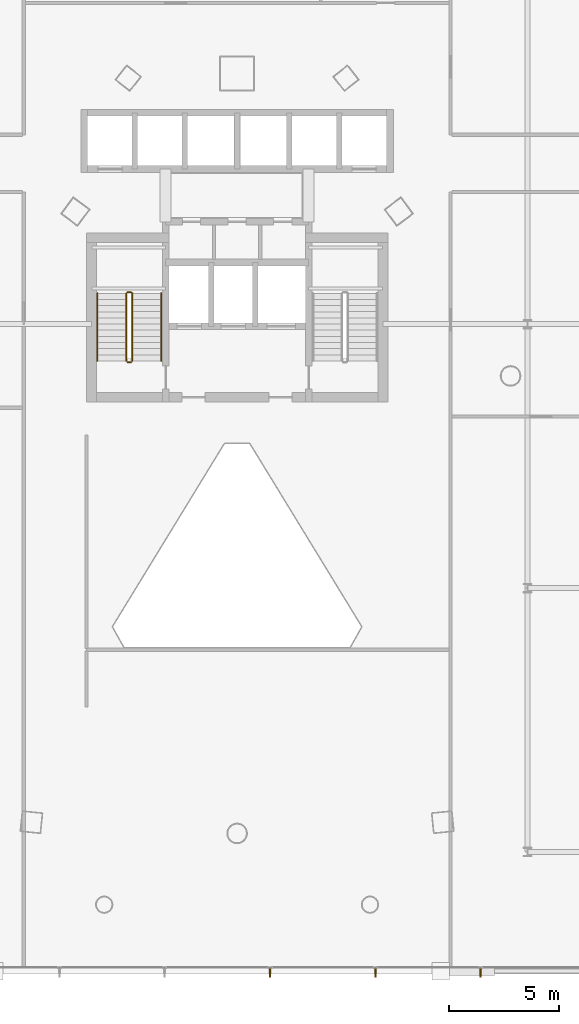
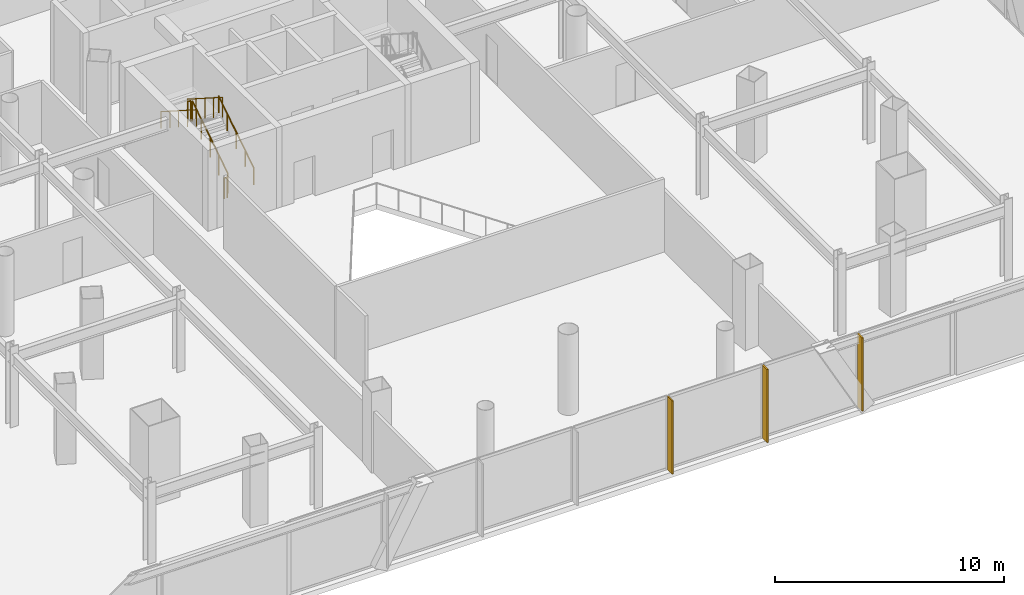
# One storey, part 41 of 46: 6 railings, 3 shading devices.
"""IFC4 building model written with IfcOpenShell, lengths in metres."""

from ifc_helpers import new_model, si_unit, direction, frame, origin, origin_2d, place, context, subcontext, project, spatial, rectangle, circle, extrude, material, layer, layer_set, type_object, element, save


model = new_model("IFC4")

# Units and contexts
model_context = context("Model", 3, precision=1e-05, world=origin(), true_north=direction((0.0, 1.0)))
body_context = subcontext(model_context, "Body", "Model", "MODEL_VIEW")
ifc_project = project(units=[si_unit("LENGTHUNIT", "METRE"), si_unit("AREAUNIT", "SQUARE_METRE"), si_unit("VOLUMEUNIT", "CUBIC_METRE"), si_unit("PLANEANGLEUNIT", "RADIAN"), si_unit("MASSUNIT", "GRAM", prefix="KILO")], contexts=[model_context])

# Site, building, storey
site_placement = place(None, origin())
site = spatial("IfcSite", under=ifc_project, at=site_placement, CompositionType="ELEMENT")
building_placement = place(site_placement, origin())
building = spatial("IfcBuilding", under=site, at=building_placement, Name="Orvanel Arch Residences", CompositionType="ELEMENT")
storey_placement = place(building_placement, frame((0.0, 0.0, 14.10009765625)))
storey = spatial("IfcBuildingStorey", under=building, at=storey_placement, Name="L03", CompositionType="ELEMENT", Elevation=14.10009765625)

# Shading devices
ifc_material_1 = material(Name="Bronze-anodised aluminium AA6063-T6", Category="aluminium")
ifc_layer = layer(ifc_material_1, 0.06494140625)
ifc_layer_set = layer_set([ifc_layer], Name="Bronze-anodised aluminium AA6063-T6")
shading_device_type = type_object("IfcShadingDeviceType", Name="FIN-BRZ-420", PredefinedType="USERDEFINED", material=ifc_layer_set)
for number, where, z_axis, x_axis, name in (
    (1, (34.493896484375, 0.510009765625, 0.0), (0.0, 0.0, 1.0), (0.0, -1.0, 0.0), "L03 Anodised Bronze Mullion FIN 04"),
    (2, (39.282958984375, 0.510009765625, 0.0), (0.0, 0.0, 1.0), (0.0, -1.0, 0.0), "L03 Anodised Bronze Mullion FIN 05"),
    (3, (44.071044921875, 0.510009765625, 0.0), (0.0, 0.0, 1.0), (0.0, -1.0, 0.0), "L03 Anodised Bronze Mullion FIN 06"),
):
    element("IfcShadingDevice", number, at=place(storey_placement, frame(where, z_axis=z_axis, x_axis=x_axis)), inside=storey, type_object=shading_device_type, Name=name, ObjectType="FIN", PredefinedType="USERDEFINED", context=body_context, shape_type="SweptSolid", body=[
        extrude(rectangle(XDim=0.419921875, YDim=0.06494140625, at=origin_2d()), origin(), (0.0, 0.0, 1.0), 3.89990234375),
    ])

# Railings
ifc_material_2 = material(Name="Structural steel AS/NZS 1163 C350L0 (Grade 350)", Category="steel")
railing_type_1 = type_object("IfcRailingType", Name="RL-STAIR-GUARD", PredefinedType="GUARDRAIL", material=ifc_material_2)
railing_1_placement = place(storey_placement, frame((28.22998046875, 28.320068359375, 0.178955078125)))
element("IfcRailing", 4, at=railing_1_placement, inside=storey, type_object=railing_type_1, Name="L03 ST-1 stair guard 1", PredefinedType="GUARDRAIL", context=body_context, shape_type="SweptSolid", body=[
    extrude(circle(Radius=0.02392578125, at=origin_2d()), frame((0.0, 0.001220703125, 1.076904296875), z_axis=(0.0, 0.842289589211, 0.539025275759), x_axis=(-1.0, 0.0, 0.0)), (0.0, 0.0, 1.0), 3.653564453125),
    extrude(circle(Radius=0.02099609375, at=origin_2d()), origin(), (0.0, 0.0, 1.0), 1.050048828125),
    extrude(circle(Radius=0.02099609375, at=origin_2d()), frame((0.0, 0.77001953125, 0.49267578125)), (0.0, 0.0, 1.0), 1.050048828125),
    extrude(circle(Radius=0.02099609375, at=origin_2d()), frame((0.0, 1.5400390625, 0.9853515625)), (0.0, 0.0, 1.0), 1.050048828125),
    extrude(circle(Radius=0.02099609375, at=origin_2d()), frame((0.0, 2.309814453125, 1.478271484375)), (0.0, 0.0, 1.0), 1.050048828125),
    extrude(circle(Radius=0.02099609375, at=origin_2d()), frame((0.0, 3.079833984375, 1.970947265625)), (0.0, 0.0, 1.0), 1.050048828125),
])
railing_2_placement = place(storey_placement, frame((28.179931640625, 31.449951171875, 2.14990234375)))
element("IfcRailing", 5, at=railing_2_placement, inside=storey, type_object=railing_type_1, Name="L03 ST-1 stair guard 2", PredefinedType="GUARDRAIL", context=body_context, shape_type="SweptSolid", body=[
    extrude(circle(Radius=0.02392578125, at=origin_2d()), frame((-0.00146484375, 0.0, 1.076171875), z_axis=(-1.0, 0.0, 0.0), x_axis=(0.0, -1.0, 0.0)), (0.0, 0.0, 1.0), 0.156982421875),
    extrude(circle(Radius=0.02099609375, at=origin_2d()), origin(), (0.0, 0.0, 1.0), 1.050048828125),
    extrude(circle(Radius=0.02099609375, at=origin_2d()), frame((-0.159912109375, 0.0, 0.0)), (0.0, 0.0, 1.0), 1.050048828125),
])
railing_3_placement = place(storey_placement, frame((27.969970703125, 31.39990234375, 2.3291015625)))
element("IfcRailing", 6, at=railing_3_placement, inside=storey, type_object=railing_type_1, Name="L03 ST-1 stair guard 3", PredefinedType="GUARDRAIL", context=body_context, shape_type="SweptSolid", body=[
    extrude(circle(Radius=0.02392578125, at=origin_2d()), frame((0.0, -0.001220703125, 1.076904296875), z_axis=(0.0, -0.842319903074, 0.538977903893), x_axis=(1.0, 0.0, 0.0)), (0.0, 0.0, 1.0), 3.6533203125),
    extrude(circle(Radius=0.02099609375, at=origin_2d()), origin(), (0.0, 0.0, 1.0), 1.050048828125),
    extrude(circle(Radius=0.02099609375, at=origin_2d()), frame((0.0, -0.77001953125, 0.49267578125)), (0.0, 0.0, 1.0), 1.050048828125),
    extrude(circle(Radius=0.02099609375, at=origin_2d()), frame((0.0, -1.5400390625, 0.9853515625)), (0.0, 0.0, 1.0), 1.050048828125),
    extrude(circle(Radius=0.02099609375, at=origin_2d()), frame((0.0, -2.309814453125, 1.47802734375)), (0.0, 0.0, 1.0), 1.050048828125),
    extrude(circle(Radius=0.02099609375, at=origin_2d()), frame((0.0, -3.079833984375, 1.970703125)), (0.0, 0.0, 1.0), 1.050048828125),
])
railing_4_placement = place(storey_placement, frame((28.179931640625, 28.27001953125, 0.0)))
element("IfcRailing", 7, at=railing_4_placement, inside=storey, type_object=railing_type_1, Name="L03 ST-1 stair guard 4", PredefinedType="GUARDRAIL", context=body_context, shape_type="SweptSolid", body=[
    extrude(circle(Radius=0.02392578125, at=origin_2d()), frame((-0.00146484375, 0.0, 1.076171875), z_axis=(-1.0, 0.0, 0.0), x_axis=(0.0, -1.0, 0.0)), (0.0, 0.0, 1.0), 0.156982421875),
    extrude(circle(Radius=0.02099609375, at=origin_2d()), origin(), (0.0, 0.0, 1.0), 1.050048828125),
    extrude(circle(Radius=0.02099609375, at=origin_2d()), frame((-0.159912109375, 0.0, 0.0)), (0.0, 0.0, 1.0), 1.050048828125),
])
railing_type_2 = type_object("IfcRailingType", Name="RL-STAIR-HAND", PredefinedType="HANDRAIL", material=ifc_material_2)
railing_5_placement = place(storey_placement, frame((29.550048828125, 28.320068359375, 0.178955078125)))
element("IfcRailing", 8, at=railing_5_placement, inside=storey, type_object=railing_type_2, Name="L03 ST-1 stair handrail 1", PredefinedType="HANDRAIL", context=body_context, shape_type="SweptSolid", body=[
    extrude(circle(Radius=0.02392578125, at=origin_2d()), frame((0.0, 0.001220703125, 0.876708984375), z_axis=(0.0, 0.842289589211, 0.539025275759), x_axis=(-1.0, 0.0, 0.0)), (0.0, 0.0, 1.0), 3.653564453125),
    extrude(circle(Radius=0.02099609375, at=origin_2d()), origin(), (0.0, 0.0, 1.0), 0.849853515625),
    extrude(circle(Radius=0.02099609375, at=origin_2d()), frame((0.0, 0.77001953125, 0.49267578125)), (0.0, 0.0, 1.0), 0.849853515625),
    extrude(circle(Radius=0.02099609375, at=origin_2d()), frame((0.0, 1.5400390625, 0.9853515625)), (0.0, 0.0, 1.0), 0.849853515625),
    extrude(circle(Radius=0.02099609375, at=origin_2d()), frame((0.0, 2.309814453125, 1.478271484375)), (0.0, 0.0, 1.0), 0.849853515625),
    extrude(circle(Radius=0.02099609375, at=origin_2d()), frame((0.0, 3.079833984375, 1.970947265625)), (0.0, 0.0, 1.0), 0.849853515625),
])
railing_6_placement = place(storey_placement, frame((26.64990234375, 31.39990234375, 2.3291015625)))
element("IfcRailing", 9, at=railing_6_placement, inside=storey, type_object=railing_type_2, Name="L03 ST-1 stair handrail 2", PredefinedType="HANDRAIL", context=body_context, shape_type="SweptSolid", body=[
    extrude(circle(Radius=0.02392578125, at=origin_2d()), frame((0.0, -0.001220703125, 0.876708984375), z_axis=(0.0, -0.842319903074, 0.538977903893), x_axis=(1.0, 0.0, 0.0)), (0.0, 0.0, 1.0), 3.6533203125),
    extrude(circle(Radius=0.02099609375, at=origin_2d()), origin(), (0.0, 0.0, 1.0), 0.849853515625),
    extrude(circle(Radius=0.02099609375, at=origin_2d()), frame((0.0, -0.77001953125, 0.49267578125)), (0.0, 0.0, 1.0), 0.849853515625),
    extrude(circle(Radius=0.02099609375, at=origin_2d()), frame((0.0, -1.5400390625, 0.9853515625)), (0.0, 0.0, 1.0), 0.849853515625),
    extrude(circle(Radius=0.02099609375, at=origin_2d()), frame((0.0, -2.309814453125, 1.47802734375)), (0.0, 0.0, 1.0), 0.849853515625),
    extrude(circle(Radius=0.02099609375, at=origin_2d()), frame((0.0, -3.079833984375, 1.970703125)), (0.0, 0.0, 1.0), 0.849853515625),
])

save(model, "model.ifc")
